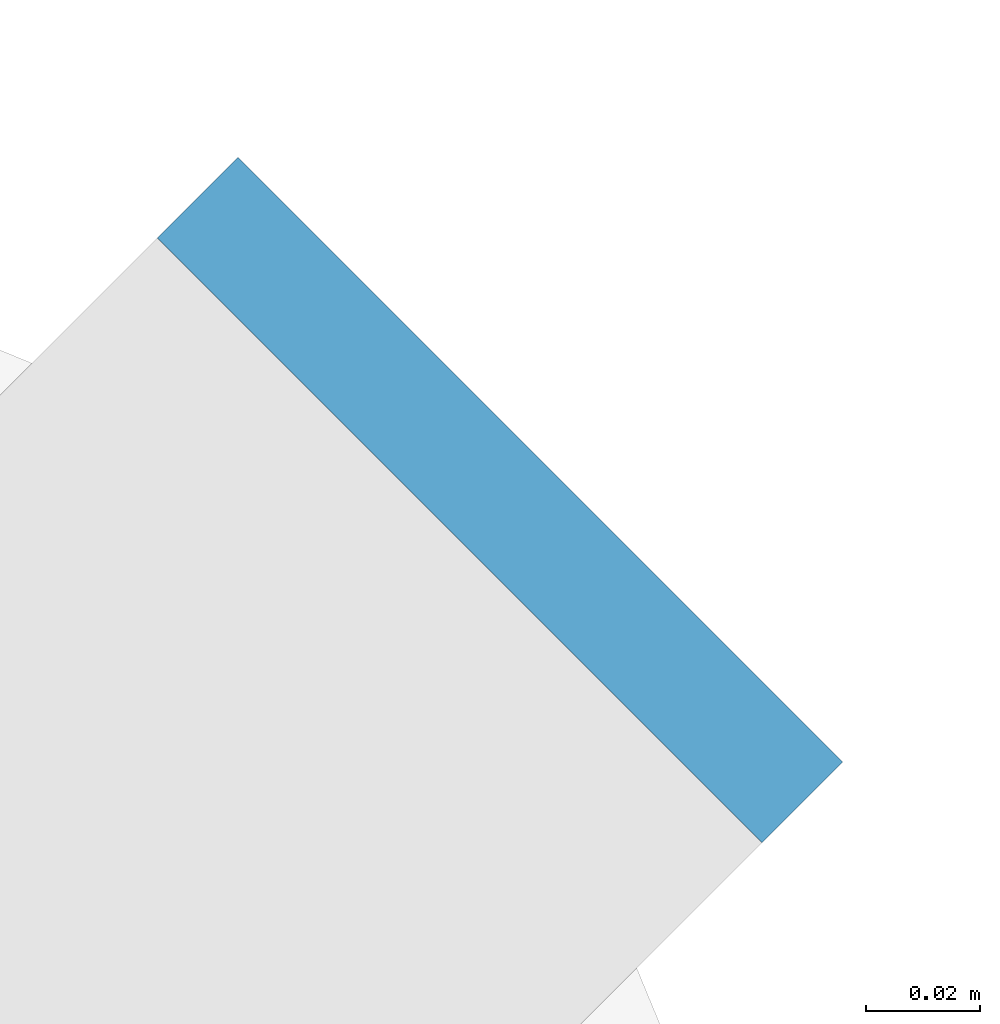
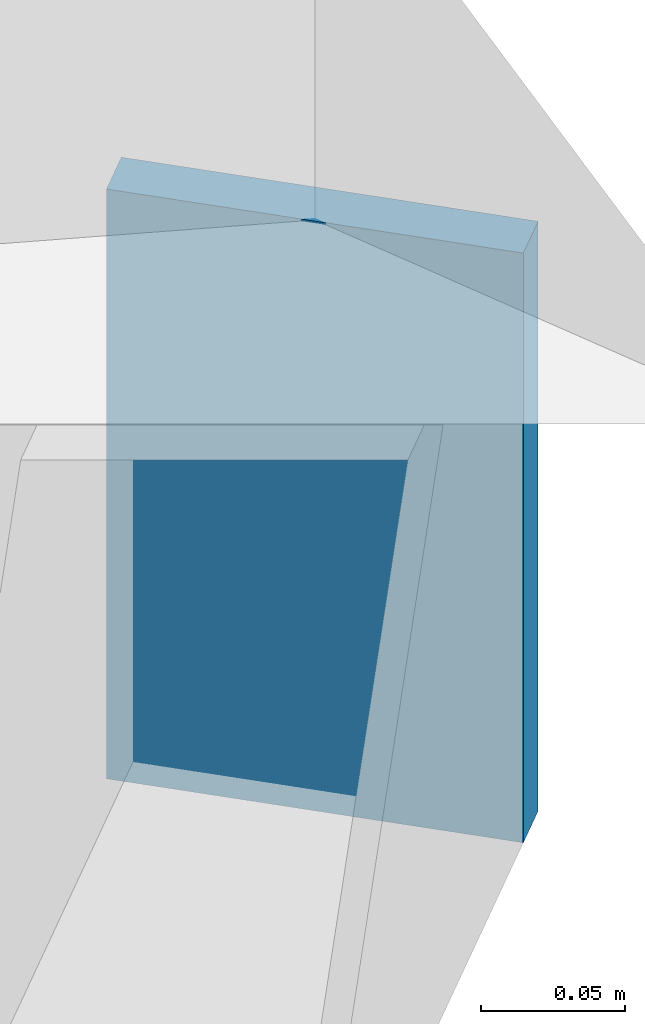
# One storey, part 20 of 30: 1 discrete accessory.
"""IFC4 building model written with IfcOpenShell, lengths in metres."""

from ifc_helpers import new_model, si_unit, direction, frame, origin, origin_2d, place, context, subcontext, project, spatial, rectangle, extrude, material, layer, layer_set, type_object, element, save


model = new_model("IFC4")

# Units and contexts
model_context = context("Model", 3, precision=1e-05, world=origin(), true_north=direction((0.0, 1.0)))
body_context = subcontext(model_context, "Body", "Model", "MODEL_VIEW")
ifc_project = project(units=[si_unit("LENGTHUNIT", "METRE"), si_unit("AREAUNIT", "SQUARE_METRE"), si_unit("VOLUMEUNIT", "CUBIC_METRE"), si_unit("PLANEANGLEUNIT", "RADIAN"), si_unit("MASSUNIT", "GRAM", prefix="KILO")], contexts=[model_context])

# Site, building, storey
site_placement = place(None, origin())
site = spatial("IfcSite", under=ifc_project, at=site_placement, CompositionType="ELEMENT")
building_placement = place(site_placement, origin())
building = spatial("IfcBuilding", under=site, at=building_placement, Name="Siwar Civic Tower", CompositionType="ELEMENT")
storey_placement = place(building_placement, frame((0.0, 0.0, 80.699951171875)))
storey = spatial("IfcBuildingStorey", under=building, at=storey_placement, Name="L17", CompositionType="ELEMENT", Elevation=80.699951171875)

# Discrete accessory
ifc_material = material(Name="Steel S355", Category="steel")
ifc_layer = layer(ifc_material, 0.02001953125)
ifc_layer_set = layer_set([ifc_layer], Name="Steel S355")
discrete_accessory_type = type_object("IfcDiscreteAccessoryType", Name="STR-END-CAP", PredefinedType="USERDEFINED", material=ifc_layer_set)
discrete_accessory_placement = place(storey_placement, frame((30.478271484375, 30.478271484375, -0.39990234375), z_axis=(0.0, 0.0, 1.0), x_axis=(0.707106781187, 0.707106781187, 0.0)))
element("IfcDiscreteAccessory", 1, at=discrete_accessory_placement, inside=storey, type_object=discrete_accessory_type, Name="End cap plate Balcony cantilever beam NE 2", ObjectType="END CAP PLATE", PredefinedType="USERDEFINED", context=body_context, shape_type="SweptSolid", body=[
    extrude(rectangle(XDim=0.02001953125, YDim=0.14990234375, at=origin_2d()), origin(), (0.0, 0.0, 1.0), 0.25),
])

save(model, "model.ifc")
